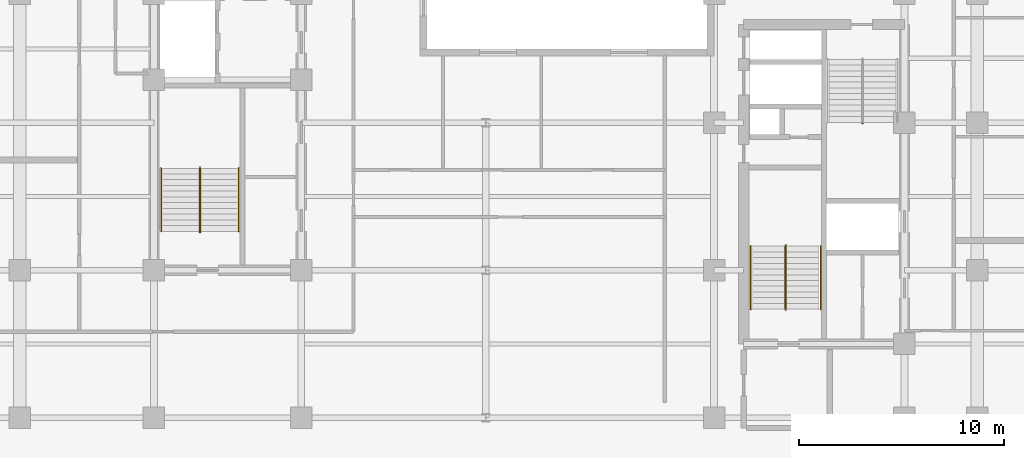
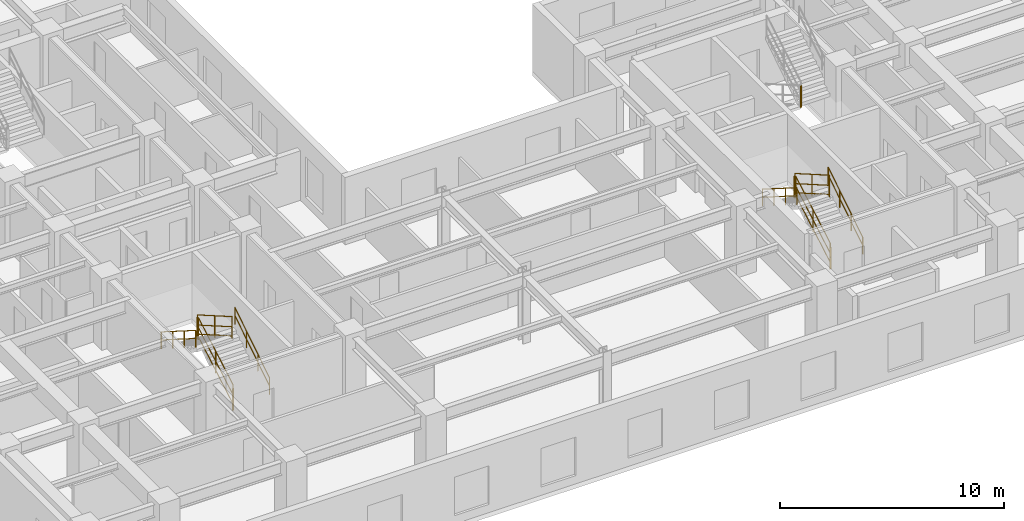
# One storey, part 8 of 10: 13 railings.
"""IFC4 building model written with IfcOpenShell, lengths in metres."""

from ifc_helpers import new_model, entity, si_unit, converted_unit, direction, frame, origin_with_axes, origin_2d_with_axis, place, context, subcontext, project, spatial, rectangle, circle, extrude, material, type_object, element, save


model = new_model("IFC4")

# Units and contexts
model_context = context("Model", 3, precision=1e-05, world=origin_with_axes(), true_north=direction((0.0, 1.0)))
body_context = subcontext(model_context, "Body", "Model", "MODEL_VIEW")
ifc_project = project(units=[si_unit("LENGTHUNIT", "METRE"), si_unit("AREAUNIT", "SQUARE_METRE"), si_unit("VOLUMEUNIT", "CUBIC_METRE"), converted_unit("PLANEANGLEUNIT", "DEGREE", entity("IfcPlaneAngleMeasure", 0.017453292519943295), si_unit("PLANEANGLEUNIT", "RADIAN"), dimensions=[0, 0, 0, 0, 0, 0, 0]), si_unit("MASSUNIT", "GRAM", prefix="KILO"), si_unit("THERMODYNAMICTEMPERATUREUNIT", "KELVIN")], contexts=[model_context])

# Site, building, storey
site_placement = place(None, origin_with_axes())
site = spatial("IfcSite", under=ifc_project, at=site_placement, CompositionType="ELEMENT")
building_placement = place(site_placement, origin_with_axes())
building = spatial("IfcBuilding", under=site, at=building_placement, Name="Varnlund Millrace Tower", CompositionType="ELEMENT")
storey_placement = place(building_placement, frame((0.0, 0.0, 171.9), z_axis=(0.0, 0.0, 1.0), x_axis=(1.0, 0.0, 0.0)))
storey = spatial("IfcBuildingStorey", under=building, at=storey_placement, Name="L42", CompositionType="ELEMENT", Elevation=171.9)

# Railings
ifc_material_1 = material(Name="Painted steel stair well balustrade guard", Category="steel")
railing_type_1 = type_object("IfcRailingType", Name="Type-StairGuard-1150", PredefinedType="GUARDRAIL", material=ifc_material_1)
railing_1_placement = place(storey_placement, frame((0.0, 0.0, -171.9), z_axis=(0.0, 0.0, 1.0), x_axis=(1.0, 0.0, 0.0)))
element("IfcRailing", 1, at=railing_1_placement, inside=storey, type_object=railing_type_1, Name="Type-StairGuard-1150", PredefinedType="GUARDRAIL", context=body_context, shape_type="SweptSolid", body=[
    extrude(circle(Radius=0.024, at=origin_2d_with_axis()), frame((13.675, 12.7, 173.227273), z_axis=(0.0, 0.866696, 0.498836), x_axis=(-1.0, 0.0, 0.0)), (0.0, 0.0, 1.0), 3.553725),
    extrude(circle(Radius=0.024, at=origin_2d_with_axis()), frame((13.675, 12.7, 172.177273), z_axis=(0.0, 0.866696, 0.498836), x_axis=(-1.0, 0.0, 0.0)), (0.0, 0.0, 1.0), 3.553725),
    extrude(circle(Radius=0.024, at=origin_2d_with_axis()), frame((13.675, 12.7, 172.675273), z_axis=(0.0, 0.866696, 0.498836), x_axis=(-1.0, 0.0, 0.0)), (0.0, 0.0, 1.0), 3.553725),
    extrude(rectangle(XDim=0.04, YDim=0.04, at=origin_2d_with_axis()), frame((13.675, 12.7, 172.037273), z_axis=(0.0, 0.0, 1.0), x_axis=(1.0, 0.0, 0.0)), (0.0, 0.0, 1.0), 1.19),
    extrude(rectangle(XDim=0.04, YDim=0.04, at=origin_2d_with_axis()), frame((13.675, 14.24, 172.923637), z_axis=(0.0, 0.0, 1.0), x_axis=(1.0, 0.0, 0.0)), (0.0, 0.0, 1.0), 1.19),
    extrude(rectangle(XDim=0.04, YDim=0.04, at=origin_2d_with_axis()), frame((13.675, 15.78, 173.81), z_axis=(0.0, 0.0, 1.0), x_axis=(1.0, 0.0, 0.0)), (0.0, 0.0, 1.0), 1.19),
])
railing_2_placement = place(storey_placement, frame((0.0, 0.0, -171.9), z_axis=(0.0, 0.0, 1.0), x_axis=(1.0, 0.0, 0.0)))
element("IfcRailing", 2, at=railing_2_placement, inside=storey, type_object=railing_type_1, Name="Type-StairGuard-1150", PredefinedType="GUARDRAIL", context=body_context, shape_type="SweptSolid", body=[
    extrude(circle(Radius=0.024, at=origin_2d_with_axis()), frame((13.625, 15.83, 175.0), z_axis=(1.0, 0.0, 0.0), x_axis=(0.0, 1.0, 0.0)), (0.0, 0.0, 1.0), 0.05),
    extrude(circle(Radius=0.024, at=origin_2d_with_axis()), frame((13.625, 15.83, 173.95), z_axis=(1.0, 0.0, 0.0), x_axis=(0.0, 1.0, 0.0)), (0.0, 0.0, 1.0), 0.05),
    extrude(circle(Radius=0.024, at=origin_2d_with_axis()), frame((13.625, 15.83, 174.448), z_axis=(1.0, 0.0, 0.0), x_axis=(0.0, 1.0, 0.0)), (0.0, 0.0, 1.0), 0.05),
    extrude(rectangle(XDim=0.04, YDim=0.04, at=origin_2d_with_axis()), frame((13.625, 15.83, 173.81), z_axis=(0.0, 0.0, 1.0), x_axis=(1.0, 0.0, 0.0)), (0.0, 0.0, 1.0), 1.19),
    extrude(rectangle(XDim=0.04, YDim=0.04, at=origin_2d_with_axis()), frame((13.675, 15.83, 173.81), z_axis=(0.0, 0.0, 1.0), x_axis=(1.0, 0.0, 0.0)), (0.0, 0.0, 1.0), 1.19),
])
railing_3_placement = place(storey_placement, frame((0.0, 0.0, -171.9), z_axis=(0.0, 0.0, 1.0), x_axis=(1.0, 0.0, 0.0)))
element("IfcRailing", 3, at=railing_3_placement, inside=storey, type_object=railing_type_1, Name="Type-StairGuard-1150", PredefinedType="GUARDRAIL", context=body_context, shape_type="SweptSolid", body=[
    extrude(circle(Radius=0.024, at=origin_2d_with_axis()), frame((13.625, 15.78, 175.177273), z_axis=(0.0, -0.866696, 0.498836), x_axis=(1.0, 0.0, 0.0)), (0.0, 0.0, 1.0), 3.553725),
    extrude(circle(Radius=0.024, at=origin_2d_with_axis()), frame((13.625, 15.78, 174.127273), z_axis=(0.0, -0.866696, 0.498836), x_axis=(1.0, 0.0, 0.0)), (0.0, 0.0, 1.0), 3.553725),
    extrude(circle(Radius=0.024, at=origin_2d_with_axis()), frame((13.625, 15.78, 174.625273), z_axis=(0.0, -0.866696, 0.498836), x_axis=(1.0, 0.0, 0.0)), (0.0, 0.0, 1.0), 3.553725),
    extrude(rectangle(XDim=0.04, YDim=0.04, at=origin_2d_with_axis()), frame((13.625, 15.78, 173.987273), z_axis=(0.0, 0.0, 1.0), x_axis=(1.0, 0.0, 0.0)), (0.0, 0.0, 1.0), 1.19),
    extrude(rectangle(XDim=0.04, YDim=0.04, at=origin_2d_with_axis()), frame((13.625, 14.24, 174.873636), z_axis=(0.0, 0.0, 1.0), x_axis=(1.0, 0.0, 0.0)), (0.0, 0.0, 1.0), 1.19),
    extrude(rectangle(XDim=0.04, YDim=0.04, at=origin_2d_with_axis()), frame((13.625, 12.7, 175.76), z_axis=(0.0, 0.0, 1.0), x_axis=(1.0, 0.0, 0.0)), (0.0, 0.0, 1.0), 1.19),
])
railing_4_placement = place(storey_placement, frame((0.0, 0.0, -171.9), z_axis=(0.0, 0.0, 1.0), x_axis=(1.0, 0.0, 0.0)))
element("IfcRailing", 4, at=railing_4_placement, inside=storey, type_object=railing_type_1, Name="Type-StairGuard-1150", PredefinedType="GUARDRAIL", context=body_context, shape_type="SweptSolid", body=[
    extrude(circle(Radius=0.024, at=origin_2d_with_axis()), frame((13.625, 12.65, 173.05), z_axis=(1.0, 0.0, 0.0), x_axis=(0.0, 1.0, 0.0)), (0.0, 0.0, 1.0), 0.05),
    extrude(circle(Radius=0.024, at=origin_2d_with_axis()), frame((13.625, 12.65, 172.0), z_axis=(1.0, 0.0, 0.0), x_axis=(0.0, 1.0, 0.0)), (0.0, 0.0, 1.0), 0.05),
    extrude(circle(Radius=0.024, at=origin_2d_with_axis()), frame((13.625, 12.65, 172.498), z_axis=(1.0, 0.0, 0.0), x_axis=(0.0, 1.0, 0.0)), (0.0, 0.0, 1.0), 0.05),
    extrude(rectangle(XDim=0.04, YDim=0.04, at=origin_2d_with_axis()), frame((13.625, 12.65, 171.86), z_axis=(0.0, 0.0, 1.0), x_axis=(1.0, 0.0, 0.0)), (0.0, 0.0, 1.0), 1.19),
    extrude(rectangle(XDim=0.04, YDim=0.04, at=origin_2d_with_axis()), frame((13.675, 12.65, 171.86), z_axis=(0.0, 0.0, 1.0), x_axis=(1.0, 0.0, 0.0)), (0.0, 0.0, 1.0), 1.19),
])
railing_5_placement = place(storey_placement, frame((0.0, 0.0, -171.9), z_axis=(0.0, 0.0, 1.0), x_axis=(1.0, 0.0, 0.0)))
element("IfcRailing", 5, at=railing_5_placement, inside=storey, type_object=railing_type_1, Name="Type-StairGuard-1150", PredefinedType="GUARDRAIL", context=body_context, shape_type="SweptSolid", body=[
    extrude(circle(Radius=0.024, at=origin_2d_with_axis()), frame((42.275, 8.9, 173.227273), z_axis=(0.0, 0.866696, 0.498836), x_axis=(-1.0, 0.0, 0.0)), (0.0, 0.0, 1.0), 3.553725),
    extrude(circle(Radius=0.024, at=origin_2d_with_axis()), frame((42.275, 8.9, 172.177273), z_axis=(0.0, 0.866696, 0.498836), x_axis=(-1.0, 0.0, 0.0)), (0.0, 0.0, 1.0), 3.553725),
    extrude(circle(Radius=0.024, at=origin_2d_with_axis()), frame((42.275, 8.9, 172.675273), z_axis=(0.0, 0.866696, 0.498836), x_axis=(-1.0, 0.0, 0.0)), (0.0, 0.0, 1.0), 3.553725),
    extrude(rectangle(XDim=0.04, YDim=0.04, at=origin_2d_with_axis()), frame((42.275, 8.9, 172.037273), z_axis=(0.0, 0.0, 1.0), x_axis=(1.0, 0.0, 0.0)), (0.0, 0.0, 1.0), 1.19),
    extrude(rectangle(XDim=0.04, YDim=0.04, at=origin_2d_with_axis()), frame((42.275, 10.44, 172.923637), z_axis=(0.0, 0.0, 1.0), x_axis=(1.0, 0.0, 0.0)), (0.0, 0.0, 1.0), 1.19),
    extrude(rectangle(XDim=0.04, YDim=0.04, at=origin_2d_with_axis()), frame((42.275, 11.98, 173.81), z_axis=(0.0, 0.0, 1.0), x_axis=(1.0, 0.0, 0.0)), (0.0, 0.0, 1.0), 1.19),
])
railing_6_placement = place(storey_placement, frame((0.0, 0.0, -171.9), z_axis=(0.0, 0.0, 1.0), x_axis=(1.0, 0.0, 0.0)))
element("IfcRailing", 6, at=railing_6_placement, inside=storey, type_object=railing_type_1, Name="Type-StairGuard-1150", PredefinedType="GUARDRAIL", context=body_context, shape_type="SweptSolid", body=[
    extrude(circle(Radius=0.024, at=origin_2d_with_axis()), frame((42.225, 12.03, 175.0), z_axis=(1.0, 0.0, 0.0), x_axis=(0.0, 1.0, 0.0)), (0.0, 0.0, 1.0), 0.05),
    extrude(circle(Radius=0.024, at=origin_2d_with_axis()), frame((42.225, 12.03, 173.95), z_axis=(1.0, 0.0, 0.0), x_axis=(0.0, 1.0, 0.0)), (0.0, 0.0, 1.0), 0.05),
    extrude(circle(Radius=0.024, at=origin_2d_with_axis()), frame((42.225, 12.03, 174.448), z_axis=(1.0, 0.0, 0.0), x_axis=(0.0, 1.0, 0.0)), (0.0, 0.0, 1.0), 0.05),
    extrude(rectangle(XDim=0.04, YDim=0.04, at=origin_2d_with_axis()), frame((42.225, 12.03, 173.81), z_axis=(0.0, 0.0, 1.0), x_axis=(1.0, 0.0, 0.0)), (0.0, 0.0, 1.0), 1.19),
    extrude(rectangle(XDim=0.04, YDim=0.04, at=origin_2d_with_axis()), frame((42.275, 12.03, 173.81), z_axis=(0.0, 0.0, 1.0), x_axis=(1.0, 0.0, 0.0)), (0.0, 0.0, 1.0), 1.19),
])
railing_7_placement = place(storey_placement, frame((0.0, 0.0, -171.9), z_axis=(0.0, 0.0, 1.0), x_axis=(1.0, 0.0, 0.0)))
element("IfcRailing", 7, at=railing_7_placement, inside=storey, type_object=railing_type_1, Name="Type-StairGuard-1150", PredefinedType="GUARDRAIL", context=body_context, shape_type="SweptSolid", body=[
    extrude(circle(Radius=0.024, at=origin_2d_with_axis()), frame((42.225, 11.98, 175.177273), z_axis=(0.0, -0.866696, 0.498836), x_axis=(1.0, 0.0, 0.0)), (0.0, 0.0, 1.0), 3.553725),
    extrude(circle(Radius=0.024, at=origin_2d_with_axis()), frame((42.225, 11.98, 174.127273), z_axis=(0.0, -0.866696, 0.498836), x_axis=(1.0, 0.0, 0.0)), (0.0, 0.0, 1.0), 3.553725),
    extrude(circle(Radius=0.024, at=origin_2d_with_axis()), frame((42.225, 11.98, 174.625273), z_axis=(0.0, -0.866696, 0.498836), x_axis=(1.0, 0.0, 0.0)), (0.0, 0.0, 1.0), 3.553725),
    extrude(rectangle(XDim=0.04, YDim=0.04, at=origin_2d_with_axis()), frame((42.225, 11.98, 173.987273), z_axis=(0.0, 0.0, 1.0), x_axis=(1.0, 0.0, 0.0)), (0.0, 0.0, 1.0), 1.19),
    extrude(rectangle(XDim=0.04, YDim=0.04, at=origin_2d_with_axis()), frame((42.225, 10.44, 174.873636), z_axis=(0.0, 0.0, 1.0), x_axis=(1.0, 0.0, 0.0)), (0.0, 0.0, 1.0), 1.19),
    extrude(rectangle(XDim=0.04, YDim=0.04, at=origin_2d_with_axis()), frame((42.225, 8.9, 175.76), z_axis=(0.0, 0.0, 1.0), x_axis=(1.0, 0.0, 0.0)), (0.0, 0.0, 1.0), 1.19),
])
railing_8_placement = place(storey_placement, frame((0.0, 0.0, -171.9), z_axis=(0.0, 0.0, 1.0), x_axis=(1.0, 0.0, 0.0)))
element("IfcRailing", 8, at=railing_8_placement, inside=storey, type_object=railing_type_1, Name="Type-StairGuard-1150", PredefinedType="GUARDRAIL", context=body_context, shape_type="SweptSolid", body=[
    extrude(circle(Radius=0.024, at=origin_2d_with_axis()), frame((42.225, 8.85, 173.05), z_axis=(1.0, 0.0, 0.0), x_axis=(0.0, 1.0, 0.0)), (0.0, 0.0, 1.0), 0.05),
    extrude(circle(Radius=0.024, at=origin_2d_with_axis()), frame((42.225, 8.85, 172.0), z_axis=(1.0, 0.0, 0.0), x_axis=(0.0, 1.0, 0.0)), (0.0, 0.0, 1.0), 0.05),
    extrude(circle(Radius=0.024, at=origin_2d_with_axis()), frame((42.225, 8.85, 172.498), z_axis=(1.0, 0.0, 0.0), x_axis=(0.0, 1.0, 0.0)), (0.0, 0.0, 1.0), 0.05),
    extrude(rectangle(XDim=0.04, YDim=0.04, at=origin_2d_with_axis()), frame((42.225, 8.85, 171.86), z_axis=(0.0, 0.0, 1.0), x_axis=(1.0, 0.0, 0.0)), (0.0, 0.0, 1.0), 1.19),
    extrude(rectangle(XDim=0.04, YDim=0.04, at=origin_2d_with_axis()), frame((42.275, 8.85, 171.86), z_axis=(0.0, 0.0, 1.0), x_axis=(1.0, 0.0, 0.0)), (0.0, 0.0, 1.0), 1.19),
])
railing_9_placement = place(storey_placement, frame((0.0, 0.0, -171.9), z_axis=(0.0, 0.0, 1.0), x_axis=(1.0, 0.0, 0.0)))
element("IfcRailing", 9, at=railing_9_placement, inside=storey, type_object=railing_type_1, Name="Type-StairGuard-1150", PredefinedType="GUARDRAIL", context=body_context, shape_type="SweptSolid", body=[
    extrude(circle(Radius=0.024, at=origin_2d_with_axis()), frame((46.025, 17.97, 175.0), z_axis=(-1.0, 0.0, 0.0), x_axis=(0.0, -1.0, 0.0)), (0.0, 0.0, 1.0), 0.05),
    extrude(circle(Radius=0.024, at=origin_2d_with_axis()), frame((46.025, 17.97, 173.95), z_axis=(-1.0, 0.0, 0.0), x_axis=(0.0, -1.0, 0.0)), (0.0, 0.0, 1.0), 0.05),
    extrude(circle(Radius=0.024, at=origin_2d_with_axis()), frame((46.025, 17.97, 174.448), z_axis=(-1.0, 0.0, 0.0), x_axis=(0.0, -1.0, 0.0)), (0.0, 0.0, 1.0), 0.05),
    extrude(rectangle(XDim=0.04, YDim=0.04, at=origin_2d_with_axis()), frame((46.025, 17.97, 173.81), z_axis=(0.0, 0.0, 1.0), x_axis=(1.0, 0.0, 0.0)), (0.0, 0.0, 1.0), 1.19),
    extrude(rectangle(XDim=0.04, YDim=0.04, at=origin_2d_with_axis()), frame((45.975, 17.97, 173.81), z_axis=(0.0, 0.0, 1.0), x_axis=(1.0, 0.0, 0.0)), (0.0, 0.0, 1.0), 1.19),
])
ifc_material_2 = material(Name="Brushed architectural bronze stair handrail", Category="aluminium")
railing_type_2 = type_object("IfcRailingType", Name="Type-StairHandrail-900", PredefinedType="HANDRAIL", material=ifc_material_2)
railing_10_placement = place(storey_placement, frame((0.0, 0.0, -171.9), z_axis=(0.0, 0.0, 1.0), x_axis=(1.0, 0.0, 0.0)))
element("IfcRailing", 10, at=railing_10_placement, inside=storey, type_object=railing_type_2, Name="Type-StairHandrail-900", PredefinedType="HANDRAIL", context=body_context, shape_type="SweptSolid", body=[
    extrude(circle(Radius=0.024, at=origin_2d_with_axis()), frame((15.55, 12.7, 172.956995), z_axis=(0.0, 0.844902, 0.534922), x_axis=(-1.0, 0.0, 0.0)), (0.0, 0.0, 1.0), 3.645394),
    extrude(circle(Radius=0.024, at=origin_2d_with_axis()), frame((15.55, 12.7, 172.517134), z_axis=(0.0, 0.844902, 0.534922), x_axis=(-1.0, 0.0, 0.0)), (0.0, 0.0, 1.0), 3.645394),
    extrude(rectangle(XDim=0.04, YDim=0.04, at=origin_2d_with_axis()), frame((15.55, 12.7, 172.037273), z_axis=(0.0, 0.0, 1.0), x_axis=(1.0, 0.0, 0.0)), (0.0, 0.0, 1.0), 0.919722),
    extrude(rectangle(XDim=0.04, YDim=0.04, at=origin_2d_with_axis()), frame((15.55, 13.726667, 172.687273), z_axis=(0.0, 0.0, 1.0), x_axis=(1.0, 0.0, 0.0)), (0.0, 0.0, 1.0), 0.919722),
    extrude(rectangle(XDim=0.04, YDim=0.04, at=origin_2d_with_axis()), frame((15.55, 14.753333, 173.337273), z_axis=(0.0, 0.0, 1.0), x_axis=(1.0, 0.0, 0.0)), (0.0, 0.0, 1.0), 0.919722),
    extrude(rectangle(XDim=0.04, YDim=0.04, at=origin_2d_with_axis()), frame((15.55, 15.78, 173.987273), z_axis=(0.0, 0.0, 1.0), x_axis=(1.0, 0.0, 0.0)), (0.0, 0.0, 1.0), 0.919722),
])
railing_11_placement = place(storey_placement, frame((0.0, 0.0, -171.9), z_axis=(0.0, 0.0, 1.0), x_axis=(1.0, 0.0, 0.0)))
element("IfcRailing", 11, at=railing_11_placement, inside=storey, type_object=railing_type_2, Name="Type-StairHandrail-900", PredefinedType="HANDRAIL", context=body_context, shape_type="SweptSolid", body=[
    extrude(circle(Radius=0.024, at=origin_2d_with_axis()), frame((11.75, 15.78, 174.906995), z_axis=(0.0, -0.844902, 0.534922), x_axis=(1.0, 0.0, 0.0)), (0.0, 0.0, 1.0), 3.645394),
    extrude(circle(Radius=0.024, at=origin_2d_with_axis()), frame((11.75, 15.78, 174.467134), z_axis=(0.0, -0.844902, 0.534922), x_axis=(1.0, 0.0, 0.0)), (0.0, 0.0, 1.0), 3.645394),
    extrude(rectangle(XDim=0.04, YDim=0.04, at=origin_2d_with_axis()), frame((11.75, 15.78, 173.987273), z_axis=(0.0, 0.0, 1.0), x_axis=(1.0, 0.0, 0.0)), (0.0, 0.0, 1.0), 0.919722),
    extrude(rectangle(XDim=0.04, YDim=0.04, at=origin_2d_with_axis()), frame((11.75, 14.753333, 174.637273), z_axis=(0.0, 0.0, 1.0), x_axis=(1.0, 0.0, 0.0)), (0.0, 0.0, 1.0), 0.919722),
    extrude(rectangle(XDim=0.04, YDim=0.04, at=origin_2d_with_axis()), frame((11.75, 13.726667, 175.287273), z_axis=(0.0, 0.0, 1.0), x_axis=(1.0, 0.0, 0.0)), (0.0, 0.0, 1.0), 0.919722),
    extrude(rectangle(XDim=0.04, YDim=0.04, at=origin_2d_with_axis()), frame((11.75, 12.7, 175.937273), z_axis=(0.0, 0.0, 1.0), x_axis=(1.0, 0.0, 0.0)), (0.0, 0.0, 1.0), 0.919722),
])
railing_12_placement = place(storey_placement, frame((0.0, 0.0, -171.9), z_axis=(0.0, 0.0, 1.0), x_axis=(1.0, 0.0, 0.0)))
element("IfcRailing", 12, at=railing_12_placement, inside=storey, type_object=railing_type_2, Name="Type-StairHandrail-900", PredefinedType="HANDRAIL", context=body_context, shape_type="SweptSolid", body=[
    extrude(circle(Radius=0.024, at=origin_2d_with_axis()), frame((43.95, 8.9, 172.956995), z_axis=(0.0, 0.844902, 0.534922), x_axis=(-1.0, 0.0, 0.0)), (0.0, 0.0, 1.0), 3.645394),
    extrude(circle(Radius=0.024, at=origin_2d_with_axis()), frame((43.95, 8.9, 172.517134), z_axis=(0.0, 0.844902, 0.534922), x_axis=(-1.0, 0.0, 0.0)), (0.0, 0.0, 1.0), 3.645394),
    extrude(rectangle(XDim=0.04, YDim=0.04, at=origin_2d_with_axis()), frame((43.95, 8.9, 172.037273), z_axis=(0.0, 0.0, 1.0), x_axis=(1.0, 0.0, 0.0)), (0.0, 0.0, 1.0), 0.919722),
    extrude(rectangle(XDim=0.04, YDim=0.04, at=origin_2d_with_axis()), frame((43.95, 9.926667, 172.687273), z_axis=(0.0, 0.0, 1.0), x_axis=(1.0, 0.0, 0.0)), (0.0, 0.0, 1.0), 0.919722),
    extrude(rectangle(XDim=0.04, YDim=0.04, at=origin_2d_with_axis()), frame((43.95, 10.953333, 173.337273), z_axis=(0.0, 0.0, 1.0), x_axis=(1.0, 0.0, 0.0)), (0.0, 0.0, 1.0), 0.919722),
    extrude(rectangle(XDim=0.04, YDim=0.04, at=origin_2d_with_axis()), frame((43.95, 11.98, 173.987273), z_axis=(0.0, 0.0, 1.0), x_axis=(1.0, 0.0, 0.0)), (0.0, 0.0, 1.0), 0.919722),
])
railing_13_placement = place(storey_placement, frame((0.0, 0.0, -171.9), z_axis=(0.0, 0.0, 1.0), x_axis=(1.0, 0.0, 0.0)))
element("IfcRailing", 13, at=railing_13_placement, inside=storey, type_object=railing_type_2, Name="Type-StairHandrail-900", PredefinedType="HANDRAIL", context=body_context, shape_type="SweptSolid", body=[
    extrude(circle(Radius=0.024, at=origin_2d_with_axis()), frame((40.55, 11.98, 174.906995), z_axis=(0.0, -0.844902, 0.534922), x_axis=(1.0, 0.0, 0.0)), (0.0, 0.0, 1.0), 3.645394),
    extrude(circle(Radius=0.024, at=origin_2d_with_axis()), frame((40.55, 11.98, 174.467134), z_axis=(0.0, -0.844902, 0.534922), x_axis=(1.0, 0.0, 0.0)), (0.0, 0.0, 1.0), 3.645394),
    extrude(rectangle(XDim=0.04, YDim=0.04, at=origin_2d_with_axis()), frame((40.55, 11.98, 173.987273), z_axis=(0.0, 0.0, 1.0), x_axis=(1.0, 0.0, 0.0)), (0.0, 0.0, 1.0), 0.919722),
    extrude(rectangle(XDim=0.04, YDim=0.04, at=origin_2d_with_axis()), frame((40.55, 10.953333, 174.637273), z_axis=(0.0, 0.0, 1.0), x_axis=(1.0, 0.0, 0.0)), (0.0, 0.0, 1.0), 0.919722),
    extrude(rectangle(XDim=0.04, YDim=0.04, at=origin_2d_with_axis()), frame((40.55, 9.926667, 175.287273), z_axis=(0.0, 0.0, 1.0), x_axis=(1.0, 0.0, 0.0)), (0.0, 0.0, 1.0), 0.919722),
    extrude(rectangle(XDim=0.04, YDim=0.04, at=origin_2d_with_axis()), frame((40.55, 8.9, 175.937273), z_axis=(0.0, 0.0, 1.0), x_axis=(1.0, 0.0, 0.0)), (0.0, 0.0, 1.0), 0.919722),
])

save(model, "model.ifc")
